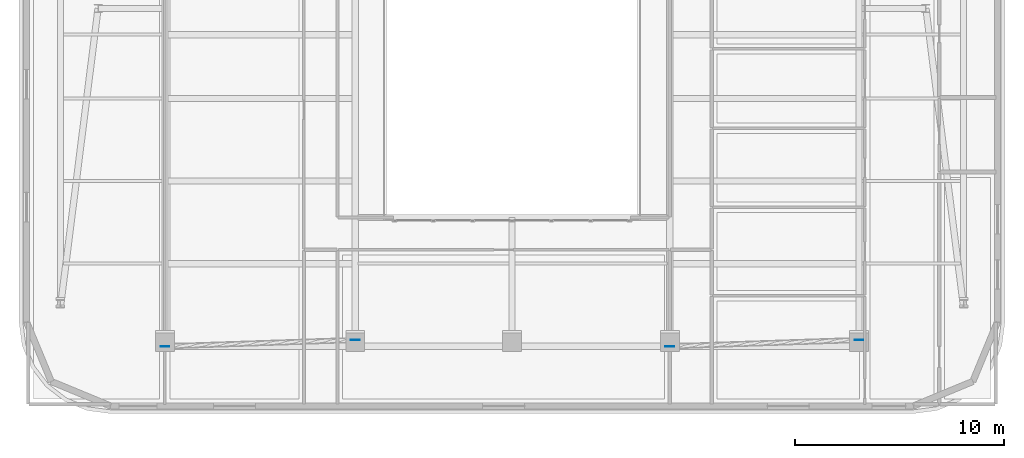
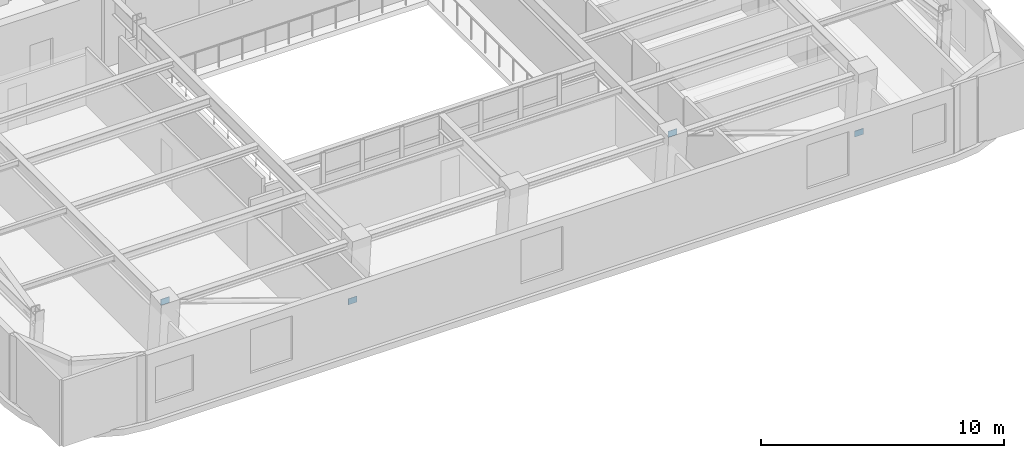
# One storey, part 5 of 13: 4 plates.
"""IFC4 building model written with IfcOpenShell, lengths in metres."""

from ifc_helpers import new_model, si_unit, direction, frame, origin, origin_2d, place, context, subcontext, project, spatial, rectangle, extrude, material, layer, layer_set, type_object, element, save


model = new_model("IFC4")

# Units and contexts
model_context = context("Model", 3, precision=1e-05, world=origin(), true_north=direction((0.0, 1.0)))
body_context = subcontext(model_context, "Body", "Model", "MODEL_VIEW")
ifc_project = project(units=[si_unit("LENGTHUNIT", "METRE"), si_unit("AREAUNIT", "SQUARE_METRE"), si_unit("VOLUMEUNIT", "CUBIC_METRE"), si_unit("PLANEANGLEUNIT", "RADIAN"), si_unit("MASSUNIT", "GRAM", prefix="KILO")], contexts=[model_context])

# Site, building, storey
site_placement = place(None, origin())
site = spatial("IfcSite", under=ifc_project, at=site_placement, CompositionType="ELEMENT")
building_placement = place(site_placement, origin())
building = spatial("IfcBuilding", under=site, at=building_placement, Name="Zarnavel Station Tower", CompositionType="ELEMENT")
storey_placement = place(building_placement, frame((0.0, 0.0, 204.0)))
storey = spatial("IfcBuildingStorey", under=building, at=storey_placement, Name="L55", CompositionType="ELEMENT", Elevation=204.0)

# Plates
ifc_material = material(Name="Steel S460M", Category="steel")
ifc_layer = layer(ifc_material, 0.02490234375)
ifc_layer_set = layer_set([ifc_layer], Name="GP_GUSSET_25")
plate_type = type_object("IfcPlateType", Name="GP_GUSSET_25", PredefinedType="USERDEFINED", material=ifc_layer_set)
for number, where, z_axis, x_axis, name in (
    (1, (21.300048828125, 7.741455078125, -0.14990234375), (0.0, 0.0, 1.0), (1.0, 0.0, 0.0), "L55 Exterior Diagonal Brace End Gusset 1-1"),
    (2, (12.199951171875, 7.438720703125, 3.18994140625), (0.0, 0.0, 1.0), (1.0, 0.0, 0.0), "L55 Exterior Diagonal Brace End Gusset 1-2"),
    (3, (45.39990234375, 7.741455078125, -0.14990234375), (0.0, 0.0, 1.0), (1.0, 0.0, 0.0), "L55 Exterior Diagonal Brace End Gusset 2-1"),
    (4, (36.35009765625, 7.438720703125, 3.18994140625), (0.0, 0.0, 1.0), (1.0, 0.0, 0.0), "L55 Exterior Diagonal Brace End Gusset 2-2"),
):
    element("IfcPlate", number, at=place(storey_placement, frame(where, z_axis=z_axis, x_axis=x_axis)), inside=storey, type_object=plate_type, Name=name, ObjectType="GUSSET_PLATE", PredefinedType="USERDEFINED", context=body_context, shape_type="SweptSolid", body=[
        extrude(rectangle(XDim=0.419921875, YDim=0.02490234375, at=origin_2d()), origin(), (0.0, 0.0, 1.0), 0.300048828125),
    ])

save(model, "model.ifc")
